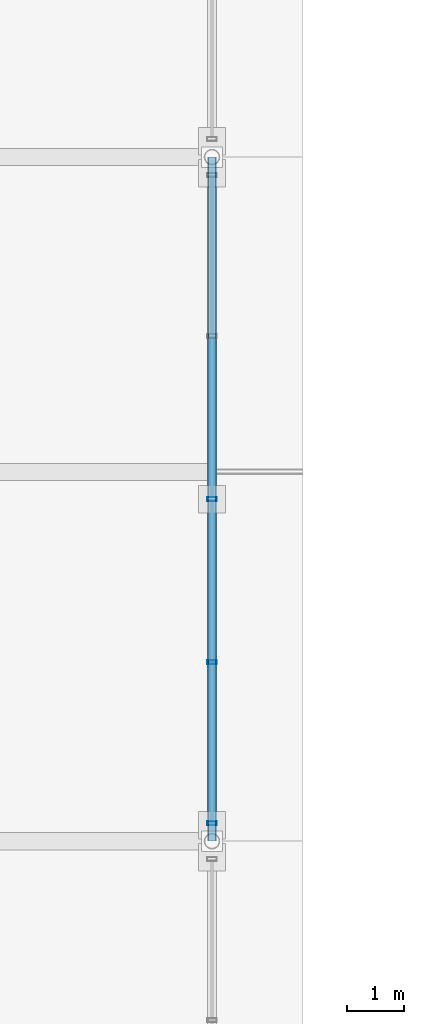
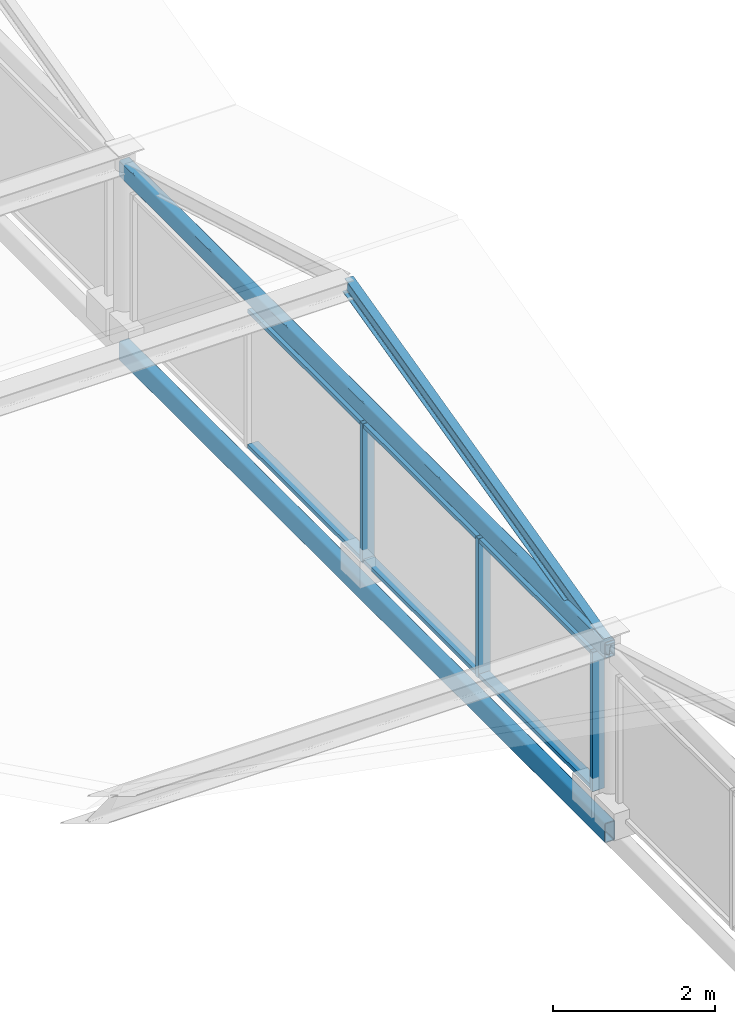
# One storey, part 65 of 117: 10 members, 2 beams, 1 element without a shape of its own.
"""IFC4 building model written with IfcOpenShell, lengths in metres."""

from ifc_helpers import new_model, si_unit, direction, frame, origin, origin_2d, place, context, subcontext, project, spatial, hollow_rectangle, i_section, extrude, material, material_profile, profile_set, type_object, element, aggregate, save


model = new_model("IFC4")

# Units and contexts
model_context = context("Model", 3, precision=1e-05, world=origin(), true_north=direction((0.0, 1.0)))
body_context = subcontext(model_context, "Body", "Model", "MODEL_VIEW")
ifc_project = project(units=[si_unit("LENGTHUNIT", "METRE"), si_unit("AREAUNIT", "SQUARE_METRE"), si_unit("VOLUMEUNIT", "CUBIC_METRE"), si_unit("PLANEANGLEUNIT", "RADIAN"), si_unit("MASSUNIT", "GRAM", prefix="KILO")], contexts=[model_context])

# Site, building, storey
site_placement = place(None, origin())
site = spatial("IfcSite", under=ifc_project, at=site_placement, CompositionType="ELEMENT")
building_placement = place(site_placement, origin())
building = spatial("IfcBuilding", under=site, at=building_placement, Name="Merenkruunu Market Hall", CompositionType="ELEMENT")
storey_placement = place(building_placement, frame((0.0, 0.0, 10.199951171875)))
storey = spatial("IfcBuildingStorey", under=building, at=storey_placement, Name="L02", CompositionType="ELEMENT", Elevation=10.199951171875)

# Curtain wall, members
ifc_material_1 = material(Name="Powder-coated aluminium", Category="aluminium")
curtain_wall_type = type_object("IfcCurtainWallType", Name="Clerestory Curtain Band CL02", PredefinedType="USERDEFINED", material=ifc_material_1)
curtain_wall_placement = place(storey_placement, origin())
curtain_wall = element("IfcCurtainWall", 1, at=curtain_wall_placement, inside=storey, type_object=curtain_wall_type, Name="CW-L02-CWM04-164", ObjectType="CLERESTORY_BAND", PredefinedType="USERDEFINED")
ifc_material_profile_1 = material_profile(ifc_material_1, hollow_rectangle(XDim=0.070068359375, YDim=0.169921875, WallThickness=0.0048828125, at=origin_2d()), Name="ALU 70x170x5")
ifc_profile_set_1 = profile_set([ifc_material_profile_1], Name="Powder-coated aluminium")
member_type_1 = type_object("IfcMemberType", Name="Curtain Wall Mullion CWM04", PredefinedType="MULLION", material=ifc_profile_set_1)
member_1_placement = place(storey_placement, frame((76.800048828125, 69.60009765625, 0.0), z_axis=(0.0, 0.0, 1.0), x_axis=(0.0, -1.0, 0.0)))
member_1 = element("IfcMember", 2, at=member_1_placement, type_object=member_type_1, Name="CL02 mullion 3", PredefinedType="MULLION", context=body_context, shape_type="SweptSolid", body=[
    extrude(hollow_rectangle(XDim=0.070068359375, YDim=0.169921875, WallThickness=0.0048828125, at=origin_2d()), origin(), (0.0, 0.0, 1.0), 2.10009765625),
])
member_2_placement = place(storey_placement, frame((76.800048828125, 66.739990234375, 0.0), z_axis=(0.0, 0.0, 1.0), x_axis=(0.0, -1.0, 0.0)))
member_2 = element("IfcMember", 3, at=member_2_placement, type_object=member_type_1, Name="CL02 mullion 4", PredefinedType="MULLION", context=body_context, shape_type="SweptSolid", body=[
    extrude(hollow_rectangle(XDim=0.070068359375, YDim=0.169921875, WallThickness=0.0048828125, at=origin_2d()), origin(), (0.0, 0.0, 1.0), 2.10009765625),
])
member_3_placement = place(storey_placement, frame((76.800048828125, 63.9150390625, 0.0), z_axis=(0.0, 0.0, 1.0), x_axis=(0.0, -1.0, 0.0)))
member_3 = element("IfcMember", 4, at=member_3_placement, type_object=member_type_1, Name="CL02 mullion 5", PredefinedType="MULLION", context=body_context, shape_type="SweptSolid", body=[
    extrude(hollow_rectangle(XDim=0.070068359375, YDim=0.169921875, WallThickness=0.0048828125, at=origin_2d()), origin(), (0.0, 0.0, 1.0), 2.10009765625),
])
ifc_material_profile_2 = material_profile(ifc_material_1, hollow_rectangle(XDim=0.06005859375, YDim=0.14990234375, WallThickness=0.00390625, at=origin_2d()), Name="ALU 60x150x4")
ifc_profile_set_2 = profile_set([ifc_material_profile_2], Name="Powder-coated aluminium")
member_type_2 = type_object("IfcMemberType", Name="Curtain Wall Transom CWT04", PredefinedType="USERDEFINED", material=ifc_profile_set_2)
member_4_placement = place(storey_placement, frame((76.800048828125, 72.425048828125, 0.030029296875), z_axis=(0.0, -1.0, 0.0), x_axis=(0.0, 0.0, 1.0)))
member_4 = element("IfcMember", 5, at=member_4_placement, type_object=member_type_2, Name="CL02 transom 2.1", ObjectType="TRANSOM", PredefinedType="USERDEFINED", context=body_context, shape_type="SweptSolid", body=[
    extrude(hollow_rectangle(XDim=0.06005859375, YDim=0.14990234375, WallThickness=0.00390625, at=origin_2d()), origin(), (0.0, 0.0, 1.0), 2.7900390625),
])
member_5_placement = place(storey_placement, frame((76.800048828125, 72.425048828125, 2.070068359375), z_axis=(0.0, -1.0, 0.0), x_axis=(0.0, 0.0, 1.0)))
member_5 = element("IfcMember", 6, at=member_5_placement, type_object=member_type_2, Name="CL02 transom 2.2", ObjectType="TRANSOM", PredefinedType="USERDEFINED", context=body_context, shape_type="SweptSolid", body=[
    extrude(hollow_rectangle(XDim=0.06005859375, YDim=0.14990234375, WallThickness=0.00390625, at=origin_2d()), origin(), (0.0, 0.0, 1.0), 2.7900390625),
])
member_6_placement = place(storey_placement, frame((76.800048828125, 69.56494140625, 0.030029296875), z_axis=(0.0, -1.0, 0.0), x_axis=(0.0, 0.0, 1.0)))
member_6 = element("IfcMember", 7, at=member_6_placement, type_object=member_type_2, Name="CL02 transom 3.1", ObjectType="TRANSOM", PredefinedType="USERDEFINED", context=body_context, shape_type="SweptSolid", body=[
    extrude(hollow_rectangle(XDim=0.06005859375, YDim=0.14990234375, WallThickness=0.00390625, at=origin_2d()), origin(), (0.0, 0.0, 1.0), 2.7900390625),
])
member_7_placement = place(storey_placement, frame((76.800048828125, 69.56494140625, 2.070068359375), z_axis=(0.0, -1.0, 0.0), x_axis=(0.0, 0.0, 1.0)))
member_7 = element("IfcMember", 8, at=member_7_placement, type_object=member_type_2, Name="CL02 transom 3.2", ObjectType="TRANSOM", PredefinedType="USERDEFINED", context=body_context, shape_type="SweptSolid", body=[
    extrude(hollow_rectangle(XDim=0.06005859375, YDim=0.14990234375, WallThickness=0.00390625, at=origin_2d()), origin(), (0.0, 0.0, 1.0), 2.7900390625),
])
member_8_placement = place(storey_placement, frame((76.800048828125, 66.705078125, 0.030029296875), z_axis=(0.0, -1.0, 0.0), x_axis=(0.0, 0.0, 1.0)))
member_8 = element("IfcMember", 9, at=member_8_placement, type_object=member_type_2, Name="CL02 transom 4.1", ObjectType="TRANSOM", PredefinedType="USERDEFINED", context=body_context, shape_type="SweptSolid", body=[
    extrude(hollow_rectangle(XDim=0.06005859375, YDim=0.14990234375, WallThickness=0.00390625, at=origin_2d()), origin(), (0.0, 0.0, 1.0), 2.755126953125),
])
member_9_placement = place(storey_placement, frame((76.800048828125, 66.705078125, 2.070068359375), z_axis=(0.0, -1.0, 0.0), x_axis=(0.0, 0.0, 1.0)))
member_9 = element("IfcMember", 10, at=member_9_placement, type_object=member_type_2, Name="CL02 transom 4.2", ObjectType="TRANSOM", PredefinedType="USERDEFINED", context=body_context, shape_type="SweptSolid", body=[
    extrude(hollow_rectangle(XDim=0.06005859375, YDim=0.14990234375, WallThickness=0.00390625, at=origin_2d()), origin(), (0.0, 0.0, 1.0), 2.755126953125),
])
aggregate(curtain_wall, [member_1, member_2, member_3, member_4, member_5, member_6, member_7, member_8, member_9])

# Beams
ifc_material_2 = material(Name="Steel S355J2", Category="steel")
ifc_material_profile_3 = material_profile(ifc_material_2, hollow_rectangle(XDim=0.14990234375, YDim=0.300048828125, WallThickness=0.012451171875, InnerFilletRadius=0.012451171875, OuterFilletRadius=0.02490234375, at=origin_2d()), Name="RHS 300x150x12.5")
ifc_profile_set_3 = profile_set([ifc_material_profile_3], Name="Steel S355J2")
beam_type_1 = type_object("IfcBeamType", Name="Perimeter Spandrel Beam SP03", PredefinedType="SPANDREL", material=ifc_profile_set_3)
beam_1_placement = place(storey_placement, frame((76.800048828125, 63.60009765625, -0.4599609375), z_axis=(0.0, 1.0, 0.0), x_axis=(-1.0, 0.0, 0.0)))
element("IfcBeam", 11, at=beam_1_placement, inside=storey, type_object=beam_type_1, Name="BM-L02-SP03-1227", PredefinedType="SPANDREL", context=body_context, shape_type="SweptSolid", body=[
    extrude(hollow_rectangle(XDim=0.14990234375, YDim=0.300048828125, WallThickness=0.012451171875, InnerFilletRadius=0.012451171875, OuterFilletRadius=0.02490234375, at=origin_2d()), origin(), (0.0, 0.0, 1.0), 12.0),
])
ifc_material_profile_4 = material_profile(ifc_material_2, hollow_rectangle(XDim=0.14990234375, YDim=0.25, WallThickness=0.010009765625, InnerFilletRadius=0.010009765625, OuterFilletRadius=0.02001953125, at=origin_2d()), Name="RHS 250x150x10")
ifc_profile_set_4 = profile_set([ifc_material_profile_4], Name="Steel S355J2")
beam_type_2 = type_object("IfcBeamType", Name="Perimeter Spandrel Beam SP04", PredefinedType="SPANDREL", material=ifc_profile_set_4)
beam_2_placement = place(storey_placement, frame((76.800048828125, 63.60009765625, 2.295166015625), z_axis=(0.0, 1.0, 0.0), x_axis=(-1.0, 0.0, 0.0)))
element("IfcBeam", 12, at=beam_2_placement, inside=storey, type_object=beam_type_2, Name="BM-L02-SP04-1283", PredefinedType="SPANDREL", context=body_context, shape_type="SweptSolid", body=[
    extrude(hollow_rectangle(XDim=0.14990234375, YDim=0.25, WallThickness=0.010009765625, InnerFilletRadius=0.010009765625, OuterFilletRadius=0.02001953125, at=origin_2d()), origin(), (0.0, 0.0, 1.0), 12.0),
])

# Member
ifc_material_3 = material(Name="Steel S355ML", Category="steel")
ifc_material_profile_5 = material_profile(ifc_material_3, i_section(OverallWidth=0.1201171875, OverallDepth=0.239990234375, WebThickness=0.006103515625, FlangeThickness=0.009765625, FilletRadius=0.014892578125, at=origin_2d()), Name="IPE 240")
ifc_profile_set_5 = profile_set([ifc_material_profile_5], Name="Steel S355ML")
member_type_3 = type_object("IfcMemberType", Name="Roof Purlin Rafter PR02", PredefinedType="PURLIN", material=ifc_profile_set_5)
member_10_placement = place(storey_placement, frame((76.800048828125, 63.60009765625, 2.280029296875), z_axis=(0.0, 0.970839870255, 0.239728901727), x_axis=(-1.0, 0.0, 0.0)))
element("IfcMember", 13, at=member_10_placement, inside=storey, type_object=member_type_3, Name="MEM-V4-SAWR-019", PredefinedType="PURLIN", context=body_context, shape_type="SweptSolid", body=[
    extrude(i_section(OverallWidth=0.1201171875, OverallDepth=0.239990234375, WebThickness=0.006103515625, FlangeThickness=0.009765625, FilletRadius=0.014892578125, at=origin_2d()), origin(), (0.0, 0.0, 1.0), 6.674560546875),
])

save(model, "model.ifc")
